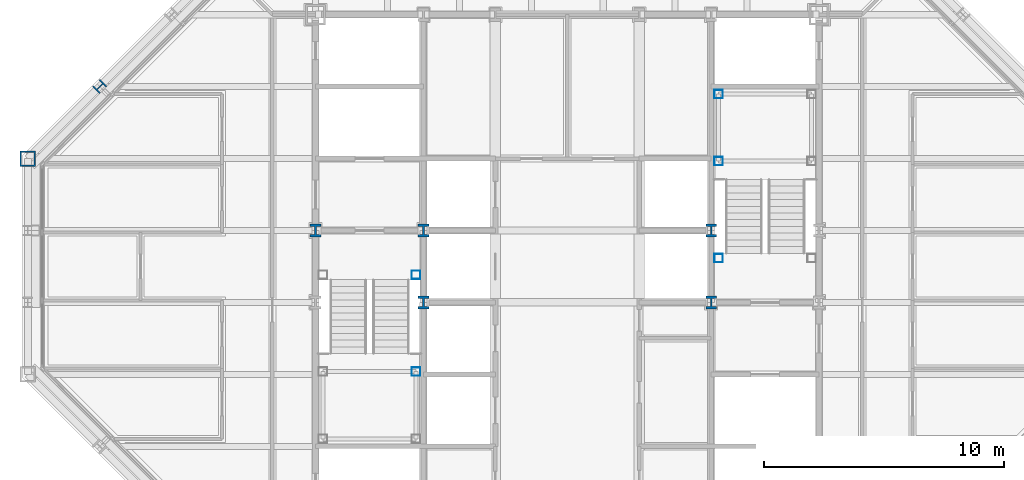
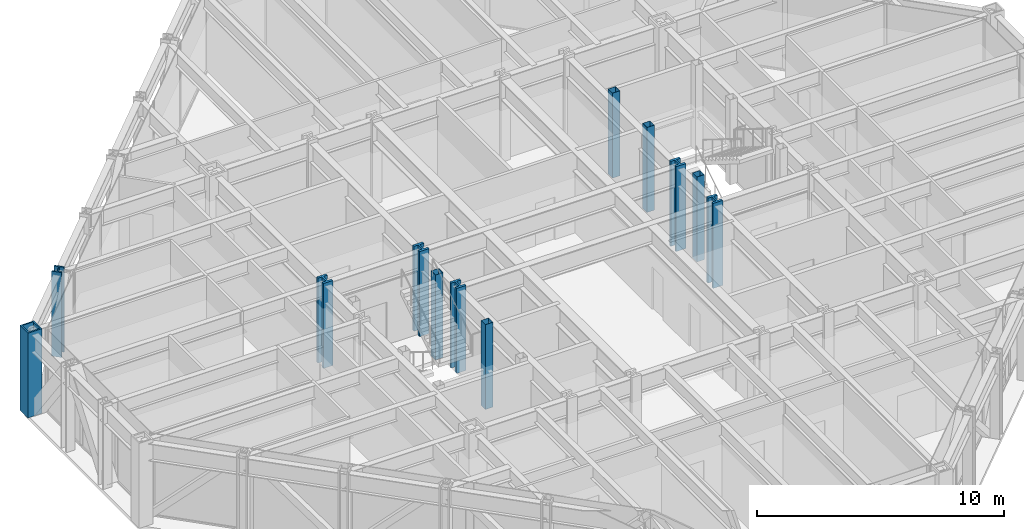
# One storey, part 2 of 15: 12 columns.
"""IFC4 building model written with IfcOpenShell, lengths in metres."""

from ifc_helpers import new_model, si_unit, direction, frame, origin, origin_2d, place, context, subcontext, project, spatial, hollow_rectangle, i_section, extrude, material, material_profile, profile_set, type_object, element, save


model = new_model("IFC4")

# Units and contexts
model_context = context("Model", 3, precision=1e-05, world=origin(), true_north=direction((0.0, 1.0)))
body_context = subcontext(model_context, "Body", "Model", "MODEL_VIEW")
ifc_project = project(units=[si_unit("LENGTHUNIT", "METRE"), si_unit("AREAUNIT", "SQUARE_METRE"), si_unit("VOLUMEUNIT", "CUBIC_METRE"), si_unit("PLANEANGLEUNIT", "RADIAN"), si_unit("MASSUNIT", "GRAM", prefix="KILO")], contexts=[model_context])

# Site, building, storey
site_placement = place(None, origin())
site = spatial("IfcSite", under=ifc_project, at=site_placement, CompositionType="ELEMENT")
building_placement = place(site_placement, origin())
building = spatial("IfcBuilding", under=site, at=building_placement, Name="Chuquiago Exchange Tower", CompositionType="ELEMENT")
storey_placement = place(building_placement, frame((0.0, 0.0, 270.60009765625)))
storey = spatial("IfcBuildingStorey", under=building, at=storey_placement, Name="L60", CompositionType="ELEMENT", Elevation=270.60009765625)

# Columns
ifc_material_1 = material(Name="Steel ASTM A992", Category="steel")
ifc_material_profile_1 = material_profile(ifc_material_1, i_section(OverallWidth=0.449462890625, OverallDepth=0.548583984375, WebThickness=0.07177734375, FlangeThickness=0.11474609375, at=origin_2d()), Name="W14X665")
ifc_profile_set_1 = profile_set([ifc_material_profile_1], Name="Steel ASTM A992")
column_type_1 = type_object("IfcColumnType", Name="CC5 W14X665", PredefinedType="COLUMN", material=ifc_profile_set_1)
for number, where, z_axis, x_axis, name in (
    (1, (12.0, 24.0, 0.0), (0.0, 0.0, 1.0), (1.0, 0.0, 0.0), "CCOL-L60-12_24"),
    (2, (16.5, 21.0, 0.0), (0.0, 0.0, 1.0), (1.0, 0.0, 0.0), "CCOL-L60-16.5_21"),
    (3, (16.5, 24.0, 0.0), (0.0, 0.0, 1.0), (1.0, 0.0, 0.0), "CCOL-L60-16.5_24"),
    (4, (28.5, 21.0, 0.0), (0.0, 0.0, 1.0), (1.0, 0.0, 0.0), "CCOL-L60-28.5_21"),
    (5, (28.5, 24.0, 0.0), (0.0, 0.0, 1.0), (1.0, 0.0, 0.0), "CCOL-L60-28.5_24"),
):
    element("IfcColumn", number, at=place(storey_placement, frame(where, z_axis=z_axis, x_axis=x_axis)), inside=storey, type_object=column_type_1, Name=name, PredefinedType="COLUMN", context=body_context, shape_type="SweptSolid", body=[
        extrude(i_section(OverallWidth=0.449462890625, OverallDepth=0.548583984375, WebThickness=0.07177734375, FlangeThickness=0.11474609375, at=origin_2d()), origin(), (0.0, 0.0, 1.0), 4.199951171875),
    ])
ifc_material_2 = material(Name="Steel ASTM A992", Category="steel")
ifc_material_profile_2 = material_profile(ifc_material_2, i_section(OverallWidth=0.41650390625, OverallDepth=0.444580078125, WebThickness=0.0390625, FlangeThickness=0.062744140625, at=origin_2d()), Name="W14X342")
ifc_profile_set_2 = profile_set([ifc_material_profile_2], Name="Steel ASTM A992")
column_type_2 = type_object("IfcColumnType", Name="CK5 W14X342", PredefinedType="COLUMN", material=ifc_profile_set_2)
column_1_placement = place(storey_placement, frame((3.0, 30.0, 0.0), z_axis=(0.0, 0.0, 1.0), x_axis=(-0.707106781187, 0.707106781187, 0.0)))
element("IfcColumn", 6, at=column_1_placement, inside=storey, type_object=column_type_2, Name="COL-L60-3_30", PredefinedType="COLUMN", context=body_context, shape_type="SweptSolid", body=[
    extrude(i_section(OverallWidth=0.41650390625, OverallDepth=0.444580078125, WebThickness=0.0390625, FlangeThickness=0.062744140625, at=origin_2d()), origin(), (0.0, 0.0, 1.0), 4.199951171875),
])
ifc_material_3 = material(Name="Steel ASTM A572 Grade 50", Category="steel")
ifc_material_profile_3 = material_profile(ifc_material_3, hollow_rectangle(XDim=0.64990234375, YDim=0.64990234375, WallThickness=0.06494140625, at=origin_2d()), Name="BOX650X650X65")
ifc_profile_set_3 = profile_set([ifc_material_profile_3], Name="Steel ASTM A572 Grade 50")
column_type_3 = type_object("IfcColumnType", Name="CN2 BOX650X650X65", PredefinedType="COLUMN", material=ifc_profile_set_3)
column_2_placement = place(storey_placement, frame((0.0, 27.0, 0.0), z_axis=(0.0, 0.0, 1.0), x_axis=(-1.0, 0.0, 0.0)))
element("IfcColumn", 7, at=column_2_placement, inside=storey, type_object=column_type_3, Name="COL-L60-0_27", PredefinedType="COLUMN", context=body_context, shape_type="SweptSolid", body=[
    extrude(hollow_rectangle(XDim=0.64990234375, YDim=0.64990234375, WallThickness=0.06494140625, at=origin_2d()), origin(), (0.0, 0.0, 1.0), 4.199951171875),
])
ifc_material_4 = material(Name="Steel ASTM A500 Grade C", Category="steel")
ifc_material_profile_4 = material_profile(ifc_material_4, hollow_rectangle(XDim=0.355712890625, YDim=0.355712890625, WallThickness=0.0087890625, at=origin_2d()), Name="HSS14X14X3/8")
ifc_profile_set_4 = profile_set([ifc_material_profile_4], Name="Steel ASTM A500 Grade C")
column_type_4 = type_object("IfcColumnType", Name="PT1 HSS14X14X3/8", PredefinedType="COLUMN", material=ifc_profile_set_4)
for number, where, z_axis, x_axis, name in (
    (8, (16.18994140625, 18.110107421875, 0.0), (0.0, 0.0, 1.0), (1.0, 0.0, 0.0), "Stair ST1 L60 landing post"),
    (9, (16.18994140625, 22.14990234375, 0.0), (0.0, 0.0, 1.0), (1.0, 0.0, 0.0), "Stair ST1 L60 landing post"),
    (10, (28.81005859375, 29.68994140625, 0.0), (0.0, 0.0, 1.0), (1.0, 0.0, 0.0), "Stair ST2 L60 landing post"),
    (11, (28.81005859375, 26.889892578125, 0.0), (0.0, 0.0, 1.0), (1.0, 0.0, 0.0), "Stair ST2 L60 landing post"),
    (12, (28.81005859375, 22.85009765625, 0.0), (0.0, 0.0, 1.0), (1.0, 0.0, 0.0), "Stair ST2 L60 landing post"),
):
    element("IfcColumn", number, at=place(storey_placement, frame(where, z_axis=z_axis, x_axis=x_axis)), inside=storey, type_object=column_type_4, Name=name, PredefinedType="COLUMN", context=body_context, shape_type="SweptSolid", body=[
        extrude(hollow_rectangle(XDim=0.355712890625, YDim=0.355712890625, WallThickness=0.0087890625, at=origin_2d()), origin(), (0.0, 0.0, 1.0), 4.199951171875),
    ])

save(model, "model.ifc")
